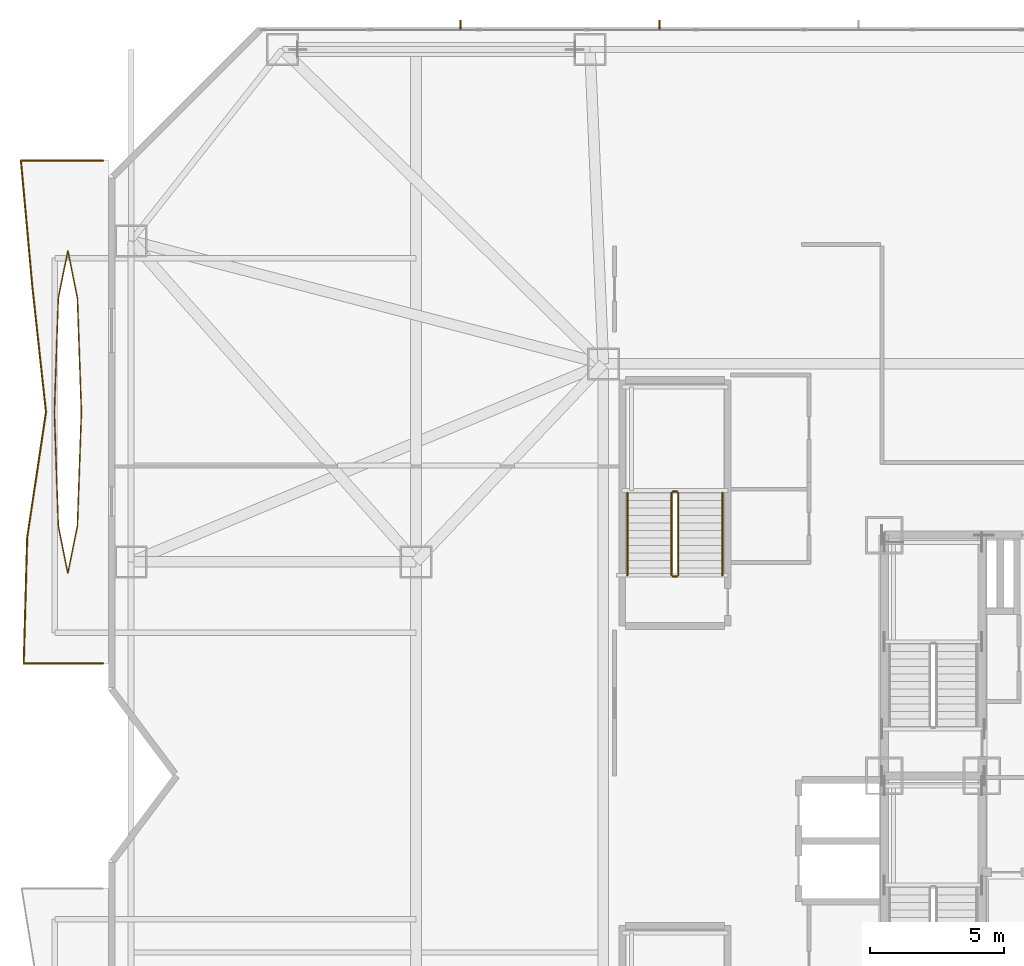
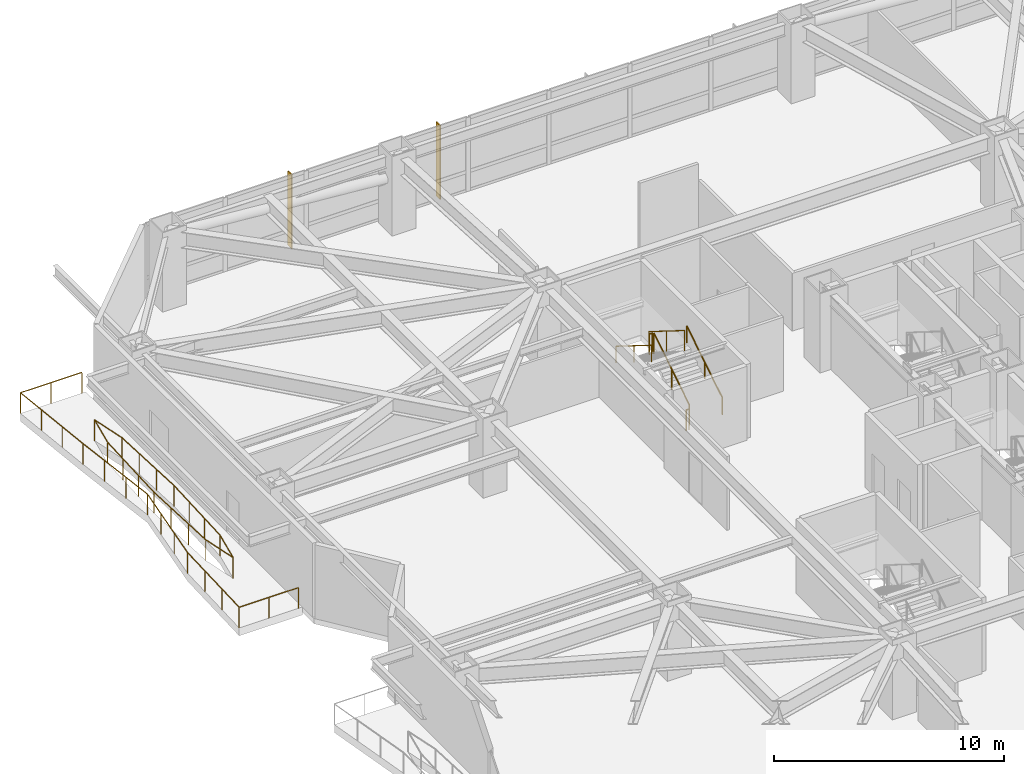
# One storey, part 23 of 25: 10 railings, 2 shading devices.
"""IFC4 building model written with IfcOpenShell, lengths in metres."""

from ifc_helpers import new_model, si_unit, direction, frame, origin, origin_2d, place, context, subcontext, project, spatial, rectangle, circle, extrude, material, type_object, element, save


model = new_model("IFC4")

# Units and contexts
model_context = context("Model", 3, precision=1e-05, world=origin(), true_north=direction((0.0, 1.0)))
body_context = subcontext(model_context, "Body", "Model", "MODEL_VIEW")
ifc_project = project(units=[si_unit("LENGTHUNIT", "METRE"), si_unit("AREAUNIT", "SQUARE_METRE"), si_unit("VOLUMEUNIT", "CUBIC_METRE"), si_unit("PLANEANGLEUNIT", "RADIAN"), si_unit("MASSUNIT", "GRAM", prefix="KILO")], contexts=[model_context])

# Site, building, storey
site_placement = place(None, origin())
site = spatial("IfcSite", under=ifc_project, at=site_placement, CompositionType="ELEMENT")
building_placement = place(site_placement, origin())
building = spatial("IfcBuilding", under=site, at=building_placement, Name="Khamvora Tower", CompositionType="ELEMENT")
storey_placement = place(building_placement, frame((0.0, 0.0, 24.60009765625)))
storey = spatial("IfcBuildingStorey", under=building, at=storey_placement, Name="L05", CompositionType="ELEMENT", Elevation=24.60009765625)

# Railings
ifc_material_1 = material(Name="Stainless Steel 316 and Laminated Glass", Category="steel")
railing_type_1 = type_object("IfcRailingType", Name="RAL-GAL-1120", PredefinedType="GUARDRAIL", material=ifc_material_1)
railing_1_placement = place(storey_placement, frame((-0.199951171875, 32.199951171875, 0.0)))
element("IfcRailing", 1, at=railing_1_placement, inside=storey, type_object=railing_type_1, Name="L05 lens gallery south perimeter guardrail WL2", PredefinedType="GUARDRAIL", context=body_context, shape_type="SweptSolid", body=[
    extrude(circle(Radius=0.02392578125, at=origin_2d()), frame((0.0, 0.0, 1.09619140625), z_axis=(-1.0, 0.0, 0.0), x_axis=(0.0, -1.0, 0.0)), (0.0, 0.0, 1.0), 2.967041015625),
    extrude(circle(Radius=0.02392578125, at=origin_2d()), frame((-2.967041015625, 0.0, 1.09619140625), z_axis=(0.027416836445, 0.999624087885, 0.0), x_axis=(-0.999624087885, 0.027416836445, 0.0)), (0.0, 0.0, 1.0), 4.70166015625),
    extrude(circle(Radius=0.02392578125, at=origin_2d()), frame((-2.838134765625, 4.699951171875, 1.09619140625), z_axis=(0.147948564483, 0.988995056746, 0.0), x_axis=(-0.988995056746, 0.147948564483, 0.0)), (0.0, 0.0, 1.0), 4.75244140625),
    extrude(circle(Radius=0.02099609375, at=origin_2d()), origin(), (0.0, 0.0, 1.0), 1.072021484375),
    extrude(circle(Radius=0.02099609375, at=origin_2d()), frame((-1.4833984375, 0.0, 0.0)), (0.0, 0.0, 1.0), 1.072021484375),
    extrude(circle(Radius=0.02099609375, at=origin_2d()), frame((-2.967041015625, 0.0, 0.0)), (0.0, 0.0, 1.0), 1.072021484375),
    extrude(circle(Radius=0.02099609375, at=origin_2d()), frame((-2.924072265625, 1.566650390625, 0.0)), (0.0, 0.0, 1.0), 1.072021484375),
    extrude(circle(Radius=0.02099609375, at=origin_2d()), frame((-2.881103515625, 3.13330078125, 0.0)), (0.0, 0.0, 1.0), 1.072021484375),
    extrude(circle(Radius=0.02099609375, at=origin_2d()), frame((-2.838134765625, 4.699951171875, 0.0)), (0.0, 0.0, 1.0), 1.072021484375),
    extrude(circle(Radius=0.02099609375, at=origin_2d()), frame((-2.603759765625, 6.2666015625, 0.0)), (0.0, 0.0, 1.0), 1.072021484375),
    extrude(circle(Radius=0.02099609375, at=origin_2d()), frame((-2.369384765625, 7.83349609375, 0.0)), (0.0, 0.0, 1.0), 1.072021484375),
    extrude(circle(Radius=0.02099609375, at=origin_2d()), frame((-2.135009765625, 9.400146484375, 0.0)), (0.0, 0.0, 1.0), 1.072021484375),
])
railing_2_placement = place(storey_placement, frame((-2.3349609375, 41.60009765625, 0.0)))
element("IfcRailing", 2, at=railing_2_placement, inside=storey, type_object=railing_type_1, Name="L05 lens gallery north perimeter guardrail WL2", PredefinedType="GUARDRAIL", context=body_context, shape_type="SweptSolid", body=[
    extrude(circle(Radius=0.02392578125, at=origin_2d()), frame((0.0, 0.0, 1.09619140625), z_axis=(-0.108084699753, 0.994141688935, 0.0), x_axis=(-0.994141688935, -0.108084699753, 0.0)), (0.0, 0.0, 1.0), 4.7275390625),
    extrude(circle(Radius=0.02392578125, at=origin_2d()), frame((-0.510986328125, 4.699951171875, 1.09619140625), z_axis=(-0.090274532388, 0.995916918624, 0.0), x_axis=(-0.995916918624, -0.090274532388, 0.0)), (0.0, 0.0, 1.0), 4.71923828125),
    extrude(circle(Radius=0.02392578125, at=origin_2d()), frame((-0.93701171875, 9.39990234375, 1.09619140625), z_axis=(1.0, 0.0, 0.0), x_axis=(0.0, 1.0, 0.0)), (0.0, 0.0, 1.0), 3.072021484375),
    extrude(circle(Radius=0.02099609375, at=origin_2d()), origin(), (0.0, 0.0, 1.0), 1.072021484375),
    extrude(circle(Radius=0.02099609375, at=origin_2d()), frame((-0.17041015625, 1.566650390625, 0.0)), (0.0, 0.0, 1.0), 1.072021484375),
    extrude(circle(Radius=0.02099609375, at=origin_2d()), frame((-0.340576171875, 3.13330078125, 0.0)), (0.0, 0.0, 1.0), 1.072021484375),
    extrude(circle(Radius=0.02099609375, at=origin_2d()), frame((-0.510986328125, 4.699951171875, 0.0)), (0.0, 0.0, 1.0), 1.072021484375),
    extrude(circle(Radius=0.02099609375, at=origin_2d()), frame((-0.653076171875, 6.2666015625, 0.0)), (0.0, 0.0, 1.0), 1.072021484375),
    extrude(circle(Radius=0.02099609375, at=origin_2d()), frame((-0.794921875, 7.833251953125, 0.0)), (0.0, 0.0, 1.0), 1.072021484375),
    extrude(circle(Radius=0.02099609375, at=origin_2d()), frame((-0.93701171875, 9.39990234375, 0.0)), (0.0, 0.0, 1.0), 1.072021484375),
    extrude(circle(Radius=0.02099609375, at=origin_2d()), frame((0.59912109375, 9.39990234375, 0.0)), (0.0, 0.0, 1.0), 1.072021484375),
    extrude(circle(Radius=0.02099609375, at=origin_2d()), frame((2.135009765625, 9.39990234375, 0.0)), (0.0, 0.0, 1.0), 1.072021484375),
])
railing_3_placement = place(storey_placement, frame((-1.010986328125, 41.60009765625, 0.0)))
element("IfcRailing", 3, at=railing_3_placement, inside=storey, type_object=railing_type_1, Name="L05 lens gallery void guardrail WL2A", PredefinedType="GUARDRAIL", context=body_context, shape_type="SweptSolid", body=[
    extrude(circle(Radius=0.02392578125, at=origin_2d()), frame((0.0, 0.0, 1.09619140625), z_axis=(-0.034758598303, 0.999395737355, 0.0), x_axis=(-0.999395737355, -0.034758598303, 0.0)), (0.0, 0.0, 1.0), 4.256591796875),
    extrude(circle(Radius=0.02392578125, at=origin_2d()), frame((-0.14794921875, 4.25390625, 1.09619140625), z_axis=(-0.198022438185, 0.980197487232, 0.0), x_axis=(-0.980197487232, -0.198022438185, 0.0)), (0.0, 0.0, 1.0), 1.797607421875),
    extrude(circle(Radius=0.02392578125, at=origin_2d()), frame((-0.50390625, 6.015869140625, 1.09619140625), z_axis=(-0.198152924969, -0.98017111686, 0.0), x_axis=(0.98017111686, -0.198152924969, 0.0)), (0.0, 0.0, 1.0), 1.797607421875),
    extrude(circle(Radius=0.02392578125, at=origin_2d()), frame((-0.860107421875, 4.25390625, 1.09619140625), z_axis=(-0.034758598303, -0.999395737355, 0.0), x_axis=(0.999395737355, -0.034758598303, 0.0)), (0.0, 0.0, 1.0), 4.256591796875),
    extrude(circle(Radius=0.02099609375, at=origin_2d()), origin(), (0.0, 0.0, 1.0), 1.072021484375),
    extrude(circle(Radius=0.02099609375, at=origin_2d()), frame((-0.04931640625, 1.41796875, 0.0)), (0.0, 0.0, 1.0), 1.072021484375),
    extrude(circle(Radius=0.02099609375, at=origin_2d()), frame((-0.0986328125, 2.8359375, 0.0)), (0.0, 0.0, 1.0), 1.072021484375),
    extrude(circle(Radius=0.02099609375, at=origin_2d()), frame((-0.14794921875, 4.25390625, 0.0)), (0.0, 0.0, 1.0), 1.072021484375),
    extrude(circle(Radius=0.02099609375, at=origin_2d()), frame((-0.50390625, 6.015869140625, 0.0)), (0.0, 0.0, 1.0), 1.072021484375),
    extrude(circle(Radius=0.02099609375, at=origin_2d()), frame((-0.860107421875, 4.25390625, 0.0)), (0.0, 0.0, 1.0), 1.072021484375),
    extrude(circle(Radius=0.02099609375, at=origin_2d()), frame((-0.909423828125, 2.8359375, 0.0)), (0.0, 0.0, 1.0), 1.072021484375),
    extrude(circle(Radius=0.02099609375, at=origin_2d()), frame((-0.958740234375, 1.41796875, 0.0)), (0.0, 0.0, 1.0), 1.072021484375),
    extrude(circle(Radius=0.02099609375, at=origin_2d()), frame((-1.008056640625, 0.0, 0.0)), (0.0, 0.0, 1.0), 1.072021484375),
])
railing_4_placement = place(storey_placement, frame((-2.01904296875, 41.60009765625, 0.0)))
element("IfcRailing", 4, at=railing_4_placement, inside=storey, type_object=railing_type_1, Name="L05 lens gallery void guardrail WL2B", PredefinedType="GUARDRAIL", context=body_context, shape_type="SweptSolid", body=[
    extrude(circle(Radius=0.02392578125, at=origin_2d()), frame((0.0, 0.0, 1.09619140625), z_axis=(0.034756605959, -0.999395806646, 0.0), x_axis=(0.999395806646, 0.034756605959, 0.0)), (0.0, 0.0, 1.0), 4.2568359375),
    extrude(circle(Radius=0.02392578125, at=origin_2d()), frame((0.14794921875, -4.254150390625, 1.09619140625), z_axis=(0.198152924969, -0.98017111686, 0.0), x_axis=(0.98017111686, 0.198152924969, 0.0)), (0.0, 0.0, 1.0), 1.797607421875),
    extrude(circle(Radius=0.02392578125, at=origin_2d()), frame((0.504150390625, -6.01611328125, 1.09619140625), z_axis=(0.198022438185, 0.980197487232, 0.0), x_axis=(-0.980197487232, 0.198022438185, 0.0)), (0.0, 0.0, 1.0), 1.797607421875),
    extrude(circle(Radius=0.02392578125, at=origin_2d()), frame((0.860107421875, -4.254150390625, 1.09619140625), z_axis=(0.034756605959, 0.999395806646, 0.0), x_axis=(-0.999395806646, 0.034756605959, 0.0)), (0.0, 0.0, 1.0), 4.2568359375),
    extrude(circle(Radius=0.02099609375, at=origin_2d()), origin(), (0.0, 0.0, 1.0), 1.072021484375),
    extrude(circle(Radius=0.02099609375, at=origin_2d()), frame((0.04931640625, -1.41796875, 0.0)), (0.0, 0.0, 1.0), 1.072021484375),
    extrude(circle(Radius=0.02099609375, at=origin_2d()), frame((0.0986328125, -2.836181640625, 0.0)), (0.0, 0.0, 1.0), 1.072021484375),
    extrude(circle(Radius=0.02099609375, at=origin_2d()), frame((0.14794921875, -4.254150390625, 0.0)), (0.0, 0.0, 1.0), 1.072021484375),
    extrude(circle(Radius=0.02099609375, at=origin_2d()), frame((0.504150390625, -6.01611328125, 0.0)), (0.0, 0.0, 1.0), 1.072021484375),
    extrude(circle(Radius=0.02099609375, at=origin_2d()), frame((0.860107421875, -4.254150390625, 0.0)), (0.0, 0.0, 1.0), 1.072021484375),
    extrude(circle(Radius=0.02099609375, at=origin_2d()), frame((0.909423828125, -2.836181640625, 0.0)), (0.0, 0.0, 1.0), 1.072021484375),
    extrude(circle(Radius=0.02099609375, at=origin_2d()), frame((0.958740234375, -1.41796875, 0.0)), (0.0, 0.0, 1.0), 1.072021484375),
    extrude(circle(Radius=0.02099609375, at=origin_2d()), frame((1.008056640625, 0.0, 0.0)), (0.0, 0.0, 1.0), 1.072021484375),
])
ifc_material_2 = material(Name="Brushed Stainless Steel 316", Category="steel")
railing_type_2 = type_object("IfcRailingType", Name="RAL-HDR-920", PredefinedType="HANDRAIL", material=ifc_material_2)
railing_5_placement = place(storey_placement, frame((22.949951171875, 35.5, 0.1748046875)))
element("IfcRailing", 5, at=railing_5_placement, inside=storey, type_object=railing_type_2, Name="L05 ST-04 stair handrail 1", PredefinedType="HANDRAIL", context=body_context, shape_type="SweptSolid", body=[
    extrude(circle(Radius=0.02392578125, at=origin_2d()), frame((0.0, 0.0, 0.8759765625), z_axis=(0.0, 0.847998304005, 0.529998940003), x_axis=(-1.0, 0.0, 0.0)), (0.0, 0.0, 1.0), 3.632080078125),
    extrude(circle(Radius=0.02099609375, at=origin_2d()), origin(), (0.0, 0.0, 1.0), 0.851806640625),
    extrude(circle(Radius=0.02099609375, at=origin_2d()), frame((0.0, 1.5400390625, 0.96240234375)), (0.0, 0.0, 1.0), 0.851806640625),
    extrude(circle(Radius=0.02099609375, at=origin_2d()), frame((0.0, 3.080078125, 1.925048828125)), (0.0, 0.0, 1.0), 0.851806640625),
])
railing_6_placement = place(storey_placement, frame((19.39990234375, 38.580078125, 2.27490234375)))
element("IfcRailing", 6, at=railing_6_placement, inside=storey, type_object=railing_type_2, Name="L05 ST-04 stair handrail 2", PredefinedType="HANDRAIL", context=body_context, shape_type="SweptSolid", body=[
    extrude(circle(Radius=0.02392578125, at=origin_2d()), frame((0.0, 0.0, 0.8759765625), z_axis=(0.0, -0.847998304005, 0.529998940003), x_axis=(1.0, 0.0, 0.0)), (0.0, 0.0, 1.0), 3.632080078125),
    extrude(circle(Radius=0.02099609375, at=origin_2d()), origin(), (0.0, 0.0, 1.0), 0.851806640625),
    extrude(circle(Radius=0.02099609375, at=origin_2d()), frame((0.0, -1.5400390625, 0.96240234375)), (0.0, 0.0, 1.0), 0.851806640625),
    extrude(circle(Radius=0.02099609375, at=origin_2d()), frame((0.0, -3.080078125, 1.925048828125)), (0.0, 0.0, 1.0), 0.851806640625),
])
ifc_material_3 = material(Name="Stainless Steel 316", Category="steel")
railing_type_3 = type_object("IfcRailingType", Name="RAL-STG-1100", PredefinedType="GUARDRAIL", material=ifc_material_3)
railing_7_placement = place(storey_placement, frame((21.300048828125, 35.5, 0.1748046875)))
element("IfcRailing", 7, at=railing_7_placement, inside=storey, type_object=railing_type_3, Name="L05 ST-04 stair guard 1", PredefinedType="GUARDRAIL", context=body_context, shape_type="SweptSolid", body=[
    extrude(circle(Radius=0.02392578125, at=origin_2d()), frame((0.0, 0.0, 1.076171875), z_axis=(0.0, 0.847998304005, 0.529998940003), x_axis=(-1.0, 0.0, 0.0)), (0.0, 0.0, 1.0), 3.632080078125),
    extrude(circle(Radius=0.02099609375, at=origin_2d()), origin(), (0.0, 0.0, 1.0), 1.052001953125),
    extrude(circle(Radius=0.02099609375, at=origin_2d()), frame((0.0, 1.5400390625, 0.96240234375)), (0.0, 0.0, 1.0), 1.052001953125),
    extrude(circle(Radius=0.02099609375, at=origin_2d()), frame((0.0, 3.080078125, 1.925048828125)), (0.0, 0.0, 1.0), 1.052001953125),
])
railing_8_placement = place(storey_placement, frame((21.25, 38.6298828125, 2.099853515625)))
element("IfcRailing", 8, at=railing_8_placement, inside=storey, type_object=railing_type_3, Name="L05 ST-04 stair guard 2", PredefinedType="GUARDRAIL", context=body_context, shape_type="SweptSolid", body=[
    extrude(circle(Radius=0.02392578125, at=origin_2d()), frame((0.0, 0.0, 1.076171875), z_axis=(-1.0, 0.0, 0.0), x_axis=(0.0, -1.0, 0.0)), (0.0, 0.0, 1.0), 0.14990234375),
    extrude(circle(Radius=0.02099609375, at=origin_2d()), origin(), (0.0, 0.0, 1.0), 1.052001953125),
    extrude(circle(Radius=0.02099609375, at=origin_2d()), frame((-0.14990234375, 0.0, 0.0)), (0.0, 0.0, 1.0), 1.052001953125),
])
railing_9_placement = place(storey_placement, frame((21.050048828125, 38.580078125, 2.27490234375)))
element("IfcRailing", 9, at=railing_9_placement, inside=storey, type_object=railing_type_3, Name="L05 ST-04 stair guard 3", PredefinedType="GUARDRAIL", context=body_context, shape_type="SweptSolid", body=[
    extrude(circle(Radius=0.02392578125, at=origin_2d()), frame((0.0, 0.0, 1.076171875), z_axis=(0.0, -0.847998304005, 0.529998940003), x_axis=(1.0, 0.0, 0.0)), (0.0, 0.0, 1.0), 3.632080078125),
    extrude(circle(Radius=0.02099609375, at=origin_2d()), origin(), (0.0, 0.0, 1.0), 1.052001953125),
    extrude(circle(Radius=0.02099609375, at=origin_2d()), frame((0.0, -1.5400390625, 0.96240234375)), (0.0, 0.0, 1.0), 1.052001953125),
    extrude(circle(Radius=0.02099609375, at=origin_2d()), frame((0.0, -3.080078125, 1.925048828125)), (0.0, 0.0, 1.0), 1.052001953125),
])
railing_10_placement = place(storey_placement, frame((21.25, 35.449951171875, 0.0)))
element("IfcRailing", 10, at=railing_10_placement, inside=storey, type_object=railing_type_3, Name="L05 ST-04 stair guard 4", PredefinedType="GUARDRAIL", context=body_context, shape_type="SweptSolid", body=[
    extrude(circle(Radius=0.02392578125, at=origin_2d()), frame((0.0, 0.0, 1.076171875), z_axis=(-1.0, 0.0, 0.0), x_axis=(0.0, -1.0, 0.0)), (0.0, 0.0, 1.0), 0.14990234375),
    extrude(circle(Radius=0.02099609375, at=origin_2d()), origin(), (0.0, 0.0, 1.0), 1.052001953125),
    extrude(circle(Radius=0.02099609375, at=origin_2d()), frame((-0.14990234375, 0.0, 0.0)), (0.0, 0.0, 1.0), 1.052001953125),
])

# Shading devices
ifc_material_4 = material(Name="Anodised Bronze Aluminium 6063-T6", Category="aluminium")
shading_device_type = type_object("IfcShadingDeviceType", Name="SHD-FIN-350", PredefinedType="USERDEFINED", material=ifc_material_4)
for number, where, z_axis, x_axis, name in (
    (11, (13.1640625, 56.077880859375, 0.0), (0.0, 0.0, 1.0), (1.0, 0.0, 0.0), "L05 anodised bronze solar fin 07.01"),
    (12, (20.60107421875, 56.077880859375, 0.0), (0.0, 0.0, 1.0), (1.0, 0.0, 0.0), "L05 anodised bronze solar fin 07.02"),
):
    element("IfcShadingDevice", number, at=place(storey_placement, frame(where, z_axis=z_axis, x_axis=x_axis)), inside=storey, type_object=shading_device_type, Name=name, ObjectType="FIN", PredefinedType="USERDEFINED", context=body_context, shape_type="SweptSolid", body=[
        extrude(rectangle(XDim=0.054931640625, YDim=0.35009765625, at=origin_2d()), origin(), (0.0, 0.0, 1.0), 3.919921875),
    ])

save(model, "model.ifc")
